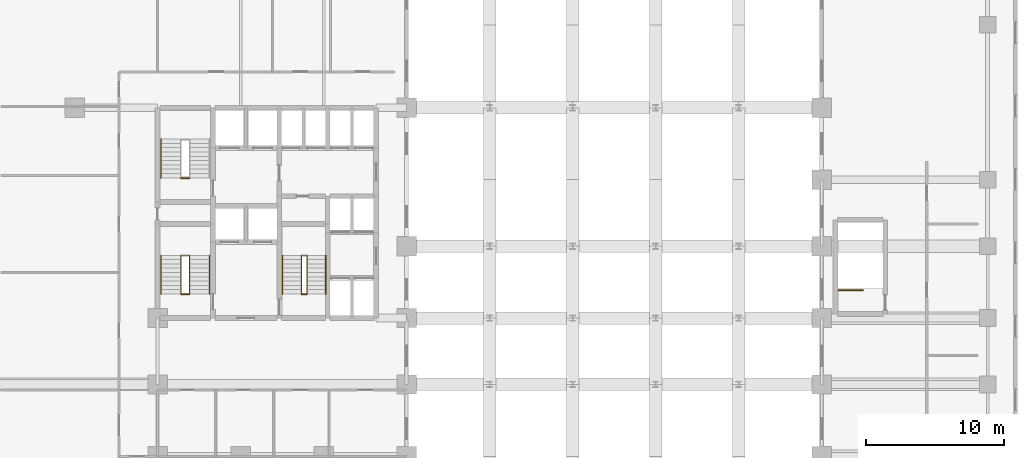
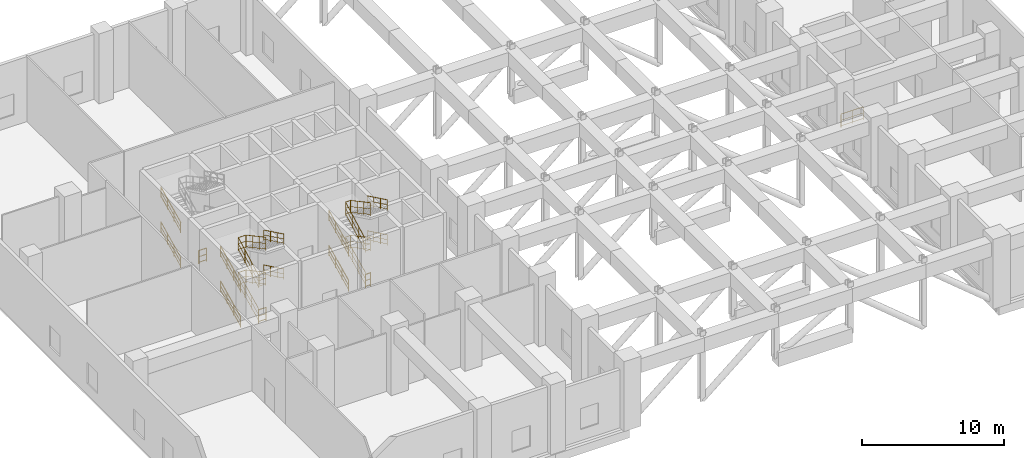
# One storey, part 10 of 11: 16 railings.
"""IFC4 building model written with IfcOpenShell, lengths in metres."""

from ifc_helpers import new_model, si_unit, direction, frame, origin, origin_2d, place, context, subcontext, project, spatial, circle, extrude, material, layer, layer_set, type_object, element, save


model = new_model("IFC4")

# Units and contexts
model_context = context("Model", 3, precision=1e-05, world=origin(), true_north=direction((0.0, 1.0)))
body_context = subcontext(model_context, "Body", "Model", "MODEL_VIEW")
ifc_project = project(units=[si_unit("LENGTHUNIT", "METRE"), si_unit("AREAUNIT", "SQUARE_METRE"), si_unit("VOLUMEUNIT", "CUBIC_METRE"), si_unit("PLANEANGLEUNIT", "RADIAN"), si_unit("MASSUNIT", "GRAM", prefix="KILO")], contexts=[model_context])

# Site, building, storey
site_placement = place(None, origin())
site = spatial("IfcSite", under=ifc_project, at=site_placement, CompositionType="ELEMENT")
building_placement = place(site_placement, origin())
building = spatial("IfcBuilding", under=site, at=building_placement, Name="Keshet Zoharim Tower", CompositionType="ELEMENT")
storey_placement = place(building_placement, frame((0.0, 0.0, 13.0)))
storey = spatial("IfcBuildingStorey", under=building, at=storey_placement, Name="L02", CompositionType="ELEMENT", Elevation=13.0)

# Railings
ifc_material = material(Name="Steel S355", Category="steel")
ifc_layer_1 = layer(ifc_material, 0.050048828125)
ifc_layer_set_1 = layer_set([ifc_layer_1], Name="Steel S355")
railing_type_1 = type_object("IfcRailingType", Name="RL-HND-092", PredefinedType="HANDRAIL", material=ifc_layer_set_1)
railing_1_placement = place(storey_placement, frame((15.239990234375, 24.43994140625, 0.14990234375)))
element("IfcRailing", 1, at=railing_1_placement, inside=storey, type_object=railing_type_1, Name="L02 ST-01 Flight 1 Wall Handrail", PredefinedType="HANDRAIL", context=body_context, shape_type="SweptSolid", body=[
    extrude(circle(Radius=0.02392578125, at=origin_2d()), frame((0.0, 0.0, 0.89599609375), z_axis=(0.0, 0.90014928908, 0.43558151633), x_axis=(-1.0, 0.0, 0.0)), (0.0, 0.0, 1.0), 3.099609375),
    extrude(circle(Radius=0.01611328125, at=origin_2d()), frame((0.0, 0.0, 0.478271484375), z_axis=(0.0, 0.90014928908, 0.43558151633), x_axis=(-1.0, 0.0, 0.0)), (0.0, 0.0, 1.0), 3.099609375),
    extrude(circle(Radius=0.01611328125, at=origin_2d()), frame((0.0, 0.0, 0.1201171875), z_axis=(0.0, 0.90014928908, 0.43558151633), x_axis=(-1.0, 0.0, 0.0)), (0.0, 0.0, 1.0), 3.099609375),
    extrude(circle(Radius=0.02099609375, at=origin_2d()), origin(), (0.0, 0.0, 1.0), 0.871826171875),
    extrude(circle(Radius=0.02099609375, at=origin_2d()), frame((0.0, 0.929931640625, 0.449951171875)), (0.0, 0.0, 1.0), 0.871826171875),
    extrude(circle(Radius=0.02099609375, at=origin_2d()), frame((0.0, 1.860107421875, 0.900146484375)), (0.0, 0.0, 1.0), 0.871826171875),
    extrude(circle(Radius=0.02099609375, at=origin_2d()), frame((0.0, 2.7900390625, 1.35009765625)), (0.0, 0.0, 1.0), 0.871826171875),
])
railing_2_placement = place(storey_placement, frame((18.760009765625, 27.22998046875, 1.64990234375)))
element("IfcRailing", 2, at=railing_2_placement, inside=storey, type_object=railing_type_1, Name="L02 ST-01 Flight 2 Wall Handrail", PredefinedType="HANDRAIL", context=body_context, shape_type="SweptSolid", body=[
    extrude(circle(Radius=0.02392578125, at=origin_2d()), frame((0.0, 0.0, 0.89599609375), z_axis=(0.0, -0.90014928908, 0.43558151633), x_axis=(1.0, 0.0, 0.0)), (0.0, 0.0, 1.0), 3.099609375),
    extrude(circle(Radius=0.01611328125, at=origin_2d()), frame((0.0, 0.0, 0.478271484375), z_axis=(0.0, -0.90014928908, 0.43558151633), x_axis=(1.0, 0.0, 0.0)), (0.0, 0.0, 1.0), 3.099609375),
    extrude(circle(Radius=0.01611328125, at=origin_2d()), frame((0.0, 0.0, 0.1201171875), z_axis=(0.0, -0.90014928908, 0.43558151633), x_axis=(1.0, 0.0, 0.0)), (0.0, 0.0, 1.0), 3.099609375),
    extrude(circle(Radius=0.02099609375, at=origin_2d()), origin(), (0.0, 0.0, 1.0), 0.871826171875),
    extrude(circle(Radius=0.02099609375, at=origin_2d()), frame((0.0, -0.929931640625, 0.449951171875)), (0.0, 0.0, 1.0), 0.871826171875),
    extrude(circle(Radius=0.02099609375, at=origin_2d()), frame((0.0, -1.860107421875, 0.900146484375)), (0.0, 0.0, 1.0), 0.871826171875),
    extrude(circle(Radius=0.02099609375, at=origin_2d()), frame((0.0, -2.7900390625, 1.35009765625)), (0.0, 0.0, 1.0), 0.871826171875),
])
railing_3_placement = place(storey_placement, frame((15.239990234375, 24.43994140625, 3.14990234375)))
element("IfcRailing", 3, at=railing_3_placement, inside=storey, type_object=railing_type_1, Name="L02 ST-01 Flight 3 Wall Handrail", PredefinedType="HANDRAIL", context=body_context, shape_type="SweptSolid", body=[
    extrude(circle(Radius=0.02392578125, at=origin_2d()), frame((0.0, 0.0, 0.89599609375), z_axis=(0.0, 0.90014928908, 0.43558151633), x_axis=(-1.0, 0.0, 0.0)), (0.0, 0.0, 1.0), 3.099609375),
    extrude(circle(Radius=0.01611328125, at=origin_2d()), frame((0.0, 0.0, 0.478271484375), z_axis=(0.0, 0.90014928908, 0.43558151633), x_axis=(-1.0, 0.0, 0.0)), (0.0, 0.0, 1.0), 3.099609375),
    extrude(circle(Radius=0.01611328125, at=origin_2d()), frame((0.0, 0.0, 0.1201171875), z_axis=(0.0, 0.90014928908, 0.43558151633), x_axis=(-1.0, 0.0, 0.0)), (0.0, 0.0, 1.0), 3.099609375),
    extrude(circle(Radius=0.02099609375, at=origin_2d()), origin(), (0.0, 0.0, 1.0), 0.871826171875),
    extrude(circle(Radius=0.02099609375, at=origin_2d()), frame((0.0, 0.929931640625, 0.449951171875)), (0.0, 0.0, 1.0), 0.871826171875),
    extrude(circle(Radius=0.02099609375, at=origin_2d()), frame((0.0, 1.860107421875, 0.900146484375)), (0.0, 0.0, 1.0), 0.871826171875),
    extrude(circle(Radius=0.02099609375, at=origin_2d()), frame((0.0, 2.7900390625, 1.35009765625)), (0.0, 0.0, 1.0), 0.871826171875),
])
railing_4_placement = place(storey_placement, frame((18.760009765625, 27.22998046875, 4.64990234375)))
element("IfcRailing", 4, at=railing_4_placement, inside=storey, type_object=railing_type_1, Name="L02 ST-01 Flight 4 Wall Handrail", PredefinedType="HANDRAIL", context=body_context, shape_type="SweptSolid", body=[
    extrude(circle(Radius=0.02392578125, at=origin_2d()), frame((0.0, 0.0, 0.89599609375), z_axis=(0.0, -0.90014928908, 0.43558151633), x_axis=(1.0, 0.0, 0.0)), (0.0, 0.0, 1.0), 3.099609375),
    extrude(circle(Radius=0.01611328125, at=origin_2d()), frame((0.0, 0.0, 0.478271484375), z_axis=(0.0, -0.90014928908, 0.43558151633), x_axis=(1.0, 0.0, 0.0)), (0.0, 0.0, 1.0), 3.099609375),
    extrude(circle(Radius=0.01611328125, at=origin_2d()), frame((0.0, 0.0, 0.1201171875), z_axis=(0.0, -0.90014928908, 0.43558151633), x_axis=(1.0, 0.0, 0.0)), (0.0, 0.0, 1.0), 3.099609375),
    extrude(circle(Radius=0.02099609375, at=origin_2d()), origin(), (0.0, 0.0, 1.0), 0.871826171875),
    extrude(circle(Radius=0.02099609375, at=origin_2d()), frame((0.0, -0.929931640625, 0.449951171875)), (0.0, 0.0, 1.0), 0.871826171875),
    extrude(circle(Radius=0.02099609375, at=origin_2d()), frame((0.0, -1.860107421875, 0.900146484375)), (0.0, 0.0, 1.0), 0.871826171875),
    extrude(circle(Radius=0.02099609375, at=origin_2d()), frame((0.0, -2.7900390625, 1.35009765625)), (0.0, 0.0, 1.0), 0.871826171875),
])
for number, where, name in (
    (5, (15.239990234375, 32.840087890625, 0.14990234375), "L02 ST-02 Flight 1 Wall Handrail"),
    (6, (15.239990234375, 32.840087890625, 3.14990234375), "L02 ST-02 Flight 3 Wall Handrail"),
):
    element("IfcRailing", number, at=place(storey_placement, frame(where)), inside=storey, type_object=railing_type_1, Name=name, PredefinedType="HANDRAIL", context=body_context, shape_type="SweptSolid", body=[
        extrude(circle(Radius=0.02392578125, at=origin_2d()), frame((0.0, 0.0, 0.89599609375), z_axis=(0.0, 0.900134342929, 0.43561240189), x_axis=(-1.0, 0.0, 0.0)), (0.0, 0.0, 1.0), 3.099365234375),
        extrude(circle(Radius=0.01611328125, at=origin_2d()), frame((0.0, 0.0, 0.478271484375), z_axis=(0.0, 0.900134342929, 0.43561240189), x_axis=(-1.0, 0.0, 0.0)), (0.0, 0.0, 1.0), 3.099365234375),
        extrude(circle(Radius=0.01611328125, at=origin_2d()), frame((0.0, 0.0, 0.1201171875), z_axis=(0.0, 0.900134342929, 0.43561240189), x_axis=(-1.0, 0.0, 0.0)), (0.0, 0.0, 1.0), 3.099365234375),
        extrude(circle(Radius=0.02099609375, at=origin_2d()), origin(), (0.0, 0.0, 1.0), 0.871826171875),
        extrude(circle(Radius=0.02099609375, at=origin_2d()), frame((0.0, 0.929931640625, 0.449951171875)), (0.0, 0.0, 1.0), 0.871826171875),
        extrude(circle(Radius=0.02099609375, at=origin_2d()), frame((0.0, 1.85986328125, 0.900146484375)), (0.0, 0.0, 1.0), 0.871826171875),
        extrude(circle(Radius=0.02099609375, at=origin_2d()), frame((0.0, 2.789794921875, 1.35009765625)), (0.0, 0.0, 1.0), 0.871826171875),
    ])
railing_5_placement = place(storey_placement, frame((24.0400390625, 24.43994140625, 0.14990234375)))
element("IfcRailing", 7, at=railing_5_placement, inside=storey, type_object=railing_type_1, Name="L02 ST-03 Flight 1 Wall Handrail", PredefinedType="HANDRAIL", context=body_context, shape_type="SweptSolid", body=[
    extrude(circle(Radius=0.02392578125, at=origin_2d()), frame((0.0, 0.0, 0.89599609375), z_axis=(0.0, 0.90014928908, 0.43558151633), x_axis=(-1.0, 0.0, 0.0)), (0.0, 0.0, 1.0), 3.099609375),
    extrude(circle(Radius=0.01611328125, at=origin_2d()), frame((0.0, 0.0, 0.478271484375), z_axis=(0.0, 0.90014928908, 0.43558151633), x_axis=(-1.0, 0.0, 0.0)), (0.0, 0.0, 1.0), 3.099609375),
    extrude(circle(Radius=0.01611328125, at=origin_2d()), frame((0.0, 0.0, 0.1201171875), z_axis=(0.0, 0.90014928908, 0.43558151633), x_axis=(-1.0, 0.0, 0.0)), (0.0, 0.0, 1.0), 3.099609375),
    extrude(circle(Radius=0.02099609375, at=origin_2d()), origin(), (0.0, 0.0, 1.0), 0.871826171875),
    extrude(circle(Radius=0.02099609375, at=origin_2d()), frame((0.0, 0.929931640625, 0.449951171875)), (0.0, 0.0, 1.0), 0.871826171875),
    extrude(circle(Radius=0.02099609375, at=origin_2d()), frame((0.0, 1.860107421875, 0.900146484375)), (0.0, 0.0, 1.0), 0.871826171875),
    extrude(circle(Radius=0.02099609375, at=origin_2d()), frame((0.0, 2.7900390625, 1.35009765625)), (0.0, 0.0, 1.0), 0.871826171875),
])
railing_6_placement = place(storey_placement, frame((27.159912109375, 27.22998046875, 1.64990234375)))
element("IfcRailing", 8, at=railing_6_placement, inside=storey, type_object=railing_type_1, Name="L02 ST-03 Flight 2 Wall Handrail", PredefinedType="HANDRAIL", context=body_context, shape_type="SweptSolid", body=[
    extrude(circle(Radius=0.02392578125, at=origin_2d()), frame((0.0, 0.0, 0.89599609375), z_axis=(0.0, -0.90014928908, 0.43558151633), x_axis=(1.0, 0.0, 0.0)), (0.0, 0.0, 1.0), 3.099609375),
    extrude(circle(Radius=0.01611328125, at=origin_2d()), frame((0.0, 0.0, 0.478271484375), z_axis=(0.0, -0.90014928908, 0.43558151633), x_axis=(1.0, 0.0, 0.0)), (0.0, 0.0, 1.0), 3.099609375),
    extrude(circle(Radius=0.01611328125, at=origin_2d()), frame((0.0, 0.0, 0.1201171875), z_axis=(0.0, -0.90014928908, 0.43558151633), x_axis=(1.0, 0.0, 0.0)), (0.0, 0.0, 1.0), 3.099609375),
    extrude(circle(Radius=0.02099609375, at=origin_2d()), origin(), (0.0, 0.0, 1.0), 0.871826171875),
    extrude(circle(Radius=0.02099609375, at=origin_2d()), frame((0.0, -0.929931640625, 0.449951171875)), (0.0, 0.0, 1.0), 0.871826171875),
    extrude(circle(Radius=0.02099609375, at=origin_2d()), frame((0.0, -1.860107421875, 0.900146484375)), (0.0, 0.0, 1.0), 0.871826171875),
    extrude(circle(Radius=0.02099609375, at=origin_2d()), frame((0.0, -2.7900390625, 1.35009765625)), (0.0, 0.0, 1.0), 0.871826171875),
])
railing_7_placement = place(storey_placement, frame((24.0400390625, 24.43994140625, 3.14990234375)))
element("IfcRailing", 9, at=railing_7_placement, inside=storey, type_object=railing_type_1, Name="L02 ST-03 Flight 3 Wall Handrail", PredefinedType="HANDRAIL", context=body_context, shape_type="SweptSolid", body=[
    extrude(circle(Radius=0.02392578125, at=origin_2d()), frame((0.0, 0.0, 0.89599609375), z_axis=(0.0, 0.90014928908, 0.43558151633), x_axis=(-1.0, 0.0, 0.0)), (0.0, 0.0, 1.0), 3.099609375),
    extrude(circle(Radius=0.01611328125, at=origin_2d()), frame((0.0, 0.0, 0.478271484375), z_axis=(0.0, 0.90014928908, 0.43558151633), x_axis=(-1.0, 0.0, 0.0)), (0.0, 0.0, 1.0), 3.099609375),
    extrude(circle(Radius=0.01611328125, at=origin_2d()), frame((0.0, 0.0, 0.1201171875), z_axis=(0.0, 0.90014928908, 0.43558151633), x_axis=(-1.0, 0.0, 0.0)), (0.0, 0.0, 1.0), 3.099609375),
    extrude(circle(Radius=0.02099609375, at=origin_2d()), origin(), (0.0, 0.0, 1.0), 0.871826171875),
    extrude(circle(Radius=0.02099609375, at=origin_2d()), frame((0.0, 0.929931640625, 0.449951171875)), (0.0, 0.0, 1.0), 0.871826171875),
    extrude(circle(Radius=0.02099609375, at=origin_2d()), frame((0.0, 1.860107421875, 0.900146484375)), (0.0, 0.0, 1.0), 0.871826171875),
    extrude(circle(Radius=0.02099609375, at=origin_2d()), frame((0.0, 2.7900390625, 1.35009765625)), (0.0, 0.0, 1.0), 0.871826171875),
])
railing_8_placement = place(storey_placement, frame((27.159912109375, 27.22998046875, 4.64990234375)))
element("IfcRailing", 10, at=railing_8_placement, inside=storey, type_object=railing_type_1, Name="L02 ST-03 Flight 4 Wall Handrail", PredefinedType="HANDRAIL", context=body_context, shape_type="SweptSolid", body=[
    extrude(circle(Radius=0.02392578125, at=origin_2d()), frame((0.0, 0.0, 0.89599609375), z_axis=(0.0, -0.90014928908, 0.43558151633), x_axis=(1.0, 0.0, 0.0)), (0.0, 0.0, 1.0), 3.099609375),
    extrude(circle(Radius=0.01611328125, at=origin_2d()), frame((0.0, 0.0, 0.478271484375), z_axis=(0.0, -0.90014928908, 0.43558151633), x_axis=(1.0, 0.0, 0.0)), (0.0, 0.0, 1.0), 3.099609375),
    extrude(circle(Radius=0.01611328125, at=origin_2d()), frame((0.0, 0.0, 0.1201171875), z_axis=(0.0, -0.90014928908, 0.43558151633), x_axis=(1.0, 0.0, 0.0)), (0.0, 0.0, 1.0), 3.099609375),
    extrude(circle(Radius=0.02099609375, at=origin_2d()), origin(), (0.0, 0.0, 1.0), 0.871826171875),
    extrude(circle(Radius=0.02099609375, at=origin_2d()), frame((0.0, -0.929931640625, 0.449951171875)), (0.0, 0.0, 1.0), 0.871826171875),
    extrude(circle(Radius=0.02099609375, at=origin_2d()), frame((0.0, -1.860107421875, 0.900146484375)), (0.0, 0.0, 1.0), 0.871826171875),
    extrude(circle(Radius=0.02099609375, at=origin_2d()), frame((0.0, -2.7900390625, 1.35009765625)), (0.0, 0.0, 1.0), 0.871826171875),
])
ifc_layer_2 = layer(ifc_material, 0.06005859375)
ifc_layer_set_2 = layer_set([ifc_layer_2], Name="Steel S355")
railing_type_2 = type_object("IfcRailingType", Name="RL-STG-115", PredefinedType="GUARDRAIL", material=ifc_layer_set_2)
railing_9_placement = place(storey_placement, frame((16.68994140625, 24.43994140625, 0.14990234375)))
element("IfcRailing", 11, at=railing_9_placement, inside=storey, type_object=railing_type_2, Name="L02 ST-01 Inner Well Guardrail", PredefinedType="GUARDRAIL", context=body_context, shape_type="SweptSolid", body=[
    extrude(circle(Radius=0.02392578125, at=origin_2d()), frame((0.0, 0.0, 1.1259765625), z_axis=(0.0, 0.90014928908, 0.43558151633), x_axis=(-1.0, 0.0, 0.0)), (0.0, 0.0, 1.0), 3.099609375),
    extrude(circle(Radius=0.01611328125, at=origin_2d()), frame((0.0, 0.0, 0.597900390625), z_axis=(0.0, 0.90014928908, 0.43558151633), x_axis=(-1.0, 0.0, 0.0)), (0.0, 0.0, 1.0), 3.099609375),
    extrude(circle(Radius=0.01611328125, at=origin_2d()), frame((0.0, 0.0, 0.1201171875), z_axis=(0.0, 0.90014928908, 0.43558151633), x_axis=(-1.0, 0.0, 0.0)), (0.0, 0.0, 1.0), 3.099609375),
    extrude(circle(Radius=0.02392578125, at=origin_2d()), frame((0.0, 2.7900390625, 2.47607421875), z_axis=(1.0, 0.0, 0.0), x_axis=(0.0, 1.0, 0.0)), (0.0, 0.0, 1.0), 0.6201171875),
    extrude(circle(Radius=0.01611328125, at=origin_2d()), frame((0.0, 2.7900390625, 1.947998046875), z_axis=(1.0, 0.0, 0.0), x_axis=(0.0, 1.0, 0.0)), (0.0, 0.0, 1.0), 0.6201171875),
    extrude(circle(Radius=0.01611328125, at=origin_2d()), frame((0.0, 2.7900390625, 1.47021484375), z_axis=(1.0, 0.0, 0.0), x_axis=(0.0, 1.0, 0.0)), (0.0, 0.0, 1.0), 0.6201171875),
    extrude(circle(Radius=0.02392578125, at=origin_2d()), frame((0.6201171875, 2.7900390625, 2.47607421875), z_axis=(0.0, -0.880777788955, 0.473529815833), x_axis=(1.0, 0.0, 0.0)), (0.0, 0.0, 1.0), 3.167724609375),
    extrude(circle(Radius=0.01611328125, at=origin_2d()), frame((0.6201171875, 2.7900390625, 1.947998046875), z_axis=(0.0, -0.880777788955, 0.473529815833), x_axis=(1.0, 0.0, 0.0)), (0.0, 0.0, 1.0), 3.167724609375),
    extrude(circle(Radius=0.01611328125, at=origin_2d()), frame((0.6201171875, 2.7900390625, 1.47021484375), z_axis=(0.0, -0.880777788955, 0.473529815833), x_axis=(1.0, 0.0, 0.0)), (0.0, 0.0, 1.0), 3.167724609375),
    extrude(circle(Radius=0.02392578125, at=origin_2d()), frame((0.6201171875, 0.0, 3.97607421875), z_axis=(-1.0, 0.0, 0.0), x_axis=(0.0, -1.0, 0.0)), (0.0, 0.0, 1.0), 0.6201171875),
    extrude(circle(Radius=0.01611328125, at=origin_2d()), frame((0.6201171875, 0.0, 3.447998046875), z_axis=(-1.0, 0.0, 0.0), x_axis=(0.0, -1.0, 0.0)), (0.0, 0.0, 1.0), 0.6201171875),
    extrude(circle(Radius=0.01611328125, at=origin_2d()), frame((0.6201171875, 0.0, 2.97021484375), z_axis=(-1.0, 0.0, 0.0), x_axis=(0.0, -1.0, 0.0)), (0.0, 0.0, 1.0), 0.6201171875),
    extrude(circle(Radius=0.02392578125, at=origin_2d()), frame((0.0, 0.0, 3.97607421875), z_axis=(0.0, 0.880777788955, 0.473529815833), x_axis=(-1.0, 0.0, 0.0)), (0.0, 0.0, 1.0), 3.167724609375),
    extrude(circle(Radius=0.01611328125, at=origin_2d()), frame((0.0, 0.0, 3.447998046875), z_axis=(0.0, 0.880777788955, 0.473529815833), x_axis=(-1.0, 0.0, 0.0)), (0.0, 0.0, 1.0), 3.167724609375),
    extrude(circle(Radius=0.01611328125, at=origin_2d()), frame((0.0, 0.0, 2.97021484375), z_axis=(0.0, 0.880777788955, 0.473529815833), x_axis=(-1.0, 0.0, 0.0)), (0.0, 0.0, 1.0), 3.167724609375),
    extrude(circle(Radius=0.02392578125, at=origin_2d()), frame((0.0, 2.7900390625, 5.47607421875), z_axis=(1.0, 0.0, 0.0), x_axis=(0.0, 1.0, 0.0)), (0.0, 0.0, 1.0), 0.6201171875),
    extrude(circle(Radius=0.01611328125, at=origin_2d()), frame((0.0, 2.7900390625, 4.947998046875), z_axis=(1.0, 0.0, 0.0), x_axis=(0.0, 1.0, 0.0)), (0.0, 0.0, 1.0), 0.6201171875),
    extrude(circle(Radius=0.01611328125, at=origin_2d()), frame((0.0, 2.7900390625, 4.47021484375), z_axis=(1.0, 0.0, 0.0), x_axis=(0.0, 1.0, 0.0)), (0.0, 0.0, 1.0), 0.6201171875),
    extrude(circle(Radius=0.02392578125, at=origin_2d()), frame((0.6201171875, 2.7900390625, 5.47607421875), z_axis=(0.0, -0.880777788955, 0.473529815833), x_axis=(1.0, 0.0, 0.0)), (0.0, 0.0, 1.0), 3.167724609375),
    extrude(circle(Radius=0.01611328125, at=origin_2d()), frame((0.6201171875, 2.7900390625, 4.947998046875), z_axis=(0.0, -0.880777788955, 0.473529815833), x_axis=(1.0, 0.0, 0.0)), (0.0, 0.0, 1.0), 3.167724609375),
    extrude(circle(Radius=0.01611328125, at=origin_2d()), frame((0.6201171875, 2.7900390625, 4.47021484375), z_axis=(0.0, -0.880777788955, 0.473529815833), x_axis=(1.0, 0.0, 0.0)), (0.0, 0.0, 1.0), 3.167724609375),
    extrude(circle(Radius=0.02099609375, at=origin_2d()), origin(), (0.0, 0.0, 1.0), 1.101806640625),
    extrude(circle(Radius=0.02099609375, at=origin_2d()), frame((0.0, 0.929931640625, 0.449951171875)), (0.0, 0.0, 1.0), 1.101806640625),
    extrude(circle(Radius=0.02099609375, at=origin_2d()), frame((0.0, 1.860107421875, 0.900146484375)), (0.0, 0.0, 1.0), 1.101806640625),
    extrude(circle(Radius=0.02099609375, at=origin_2d()), frame((0.0, 2.7900390625, 1.35009765625)), (0.0, 0.0, 1.0), 1.101806640625),
    extrude(circle(Radius=0.02099609375, at=origin_2d()), frame((0.6201171875, 2.7900390625, 1.35009765625)), (0.0, 0.0, 1.0), 1.101806640625),
    extrude(circle(Radius=0.02099609375, at=origin_2d()), frame((0.6201171875, 1.860107421875, 1.85009765625)), (0.0, 0.0, 1.0), 1.101806640625),
    extrude(circle(Radius=0.02099609375, at=origin_2d()), frame((0.6201171875, 0.929931640625, 2.35009765625)), (0.0, 0.0, 1.0), 1.101806640625),
    extrude(circle(Radius=0.02099609375, at=origin_2d()), frame((0.6201171875, 0.0, 2.85009765625)), (0.0, 0.0, 1.0), 1.101806640625),
    extrude(circle(Radius=0.02099609375, at=origin_2d()), frame((0.0, 0.0, 2.85009765625)), (0.0, 0.0, 1.0), 1.101806640625),
    extrude(circle(Radius=0.02099609375, at=origin_2d()), frame((0.0, 0.929931640625, 3.35009765625)), (0.0, 0.0, 1.0), 1.101806640625),
    extrude(circle(Radius=0.02099609375, at=origin_2d()), frame((0.0, 1.860107421875, 3.85009765625)), (0.0, 0.0, 1.0), 1.101806640625),
    extrude(circle(Radius=0.02099609375, at=origin_2d()), frame((0.0, 2.7900390625, 4.35009765625)), (0.0, 0.0, 1.0), 1.101806640625),
    extrude(circle(Radius=0.02099609375, at=origin_2d()), frame((0.6201171875, 2.7900390625, 4.35009765625)), (0.0, 0.0, 1.0), 1.101806640625),
    extrude(circle(Radius=0.02099609375, at=origin_2d()), frame((0.6201171875, 1.860107421875, 4.85009765625)), (0.0, 0.0, 1.0), 1.101806640625),
    extrude(circle(Radius=0.02099609375, at=origin_2d()), frame((0.6201171875, 0.929931640625, 5.35009765625)), (0.0, 0.0, 1.0), 1.101806640625),
    extrude(circle(Radius=0.02099609375, at=origin_2d()), frame((0.6201171875, 0.0, 5.85009765625)), (0.0, 0.0, 1.0), 1.101806640625),
])
for number, where, name in (
    (12, (16.68994140625, 24.409912109375, 0.0), "L02 ST-01 Stairwell Floor Guardrail"),
    (13, (16.68994140625, 32.81005859375, 0.0), "L02 ST-02 Stairwell Floor Guardrail"),
):
    element("IfcRailing", number, at=place(storey_placement, frame(where)), inside=storey, type_object=railing_type_2, Name=name, PredefinedType="GUARDRAIL", context=body_context, shape_type="SweptSolid", body=[
        extrude(circle(Radius=0.02392578125, at=origin_2d()), frame((0.0, 0.0, 1.1259765625), z_axis=(1.0, 0.0, 0.0), x_axis=(0.0, 1.0, 0.0)), (0.0, 0.0, 1.0), 0.6201171875),
        extrude(circle(Radius=0.01611328125, at=origin_2d()), frame((0.0, 0.0, 0.597900390625), z_axis=(1.0, 0.0, 0.0), x_axis=(0.0, 1.0, 0.0)), (0.0, 0.0, 1.0), 0.6201171875),
        extrude(circle(Radius=0.01611328125, at=origin_2d()), frame((0.0, 0.0, 0.1201171875), z_axis=(1.0, 0.0, 0.0), x_axis=(0.0, 1.0, 0.0)), (0.0, 0.0, 1.0), 0.6201171875),
        extrude(circle(Radius=0.02099609375, at=origin_2d()), origin(), (0.0, 0.0, 1.0), 1.101806640625),
        extrude(circle(Radius=0.02099609375, at=origin_2d()), frame((0.6201171875, 0.0, 0.0)), (0.0, 0.0, 1.0), 1.101806640625),
    ])
railing_10_placement = place(storey_placement, frame((25.39990234375, 24.43994140625, 0.14990234375)))
element("IfcRailing", 14, at=railing_10_placement, inside=storey, type_object=railing_type_2, Name="L02 ST-03 Inner Well Guardrail", PredefinedType="GUARDRAIL", context=body_context, shape_type="SweptSolid", body=[
    extrude(circle(Radius=0.02392578125, at=origin_2d()), frame((0.0, 0.0, 1.1259765625), z_axis=(0.0, 0.90014928908, 0.43558151633), x_axis=(-1.0, 0.0, 0.0)), (0.0, 0.0, 1.0), 3.099609375),
    extrude(circle(Radius=0.01611328125, at=origin_2d()), frame((0.0, 0.0, 0.597900390625), z_axis=(0.0, 0.90014928908, 0.43558151633), x_axis=(-1.0, 0.0, 0.0)), (0.0, 0.0, 1.0), 3.099609375),
    extrude(circle(Radius=0.01611328125, at=origin_2d()), frame((0.0, 0.0, 0.1201171875), z_axis=(0.0, 0.90014928908, 0.43558151633), x_axis=(-1.0, 0.0, 0.0)), (0.0, 0.0, 1.0), 3.099609375),
    extrude(circle(Radius=0.02392578125, at=origin_2d()), frame((0.0, 2.7900390625, 2.47607421875), z_axis=(1.0, 0.0, 0.0), x_axis=(0.0, 1.0, 0.0)), (0.0, 0.0, 1.0), 0.400146484375),
    extrude(circle(Radius=0.01611328125, at=origin_2d()), frame((0.0, 2.7900390625, 1.947998046875), z_axis=(1.0, 0.0, 0.0), x_axis=(0.0, 1.0, 0.0)), (0.0, 0.0, 1.0), 0.400146484375),
    extrude(circle(Radius=0.01611328125, at=origin_2d()), frame((0.0, 2.7900390625, 1.47021484375), z_axis=(1.0, 0.0, 0.0), x_axis=(0.0, 1.0, 0.0)), (0.0, 0.0, 1.0), 0.400146484375),
    extrude(circle(Radius=0.02392578125, at=origin_2d()), frame((0.400146484375, 2.7900390625, 2.47607421875), z_axis=(0.0, -0.880777788955, 0.473529815833), x_axis=(1.0, 0.0, 0.0)), (0.0, 0.0, 1.0), 3.167724609375),
    extrude(circle(Radius=0.01611328125, at=origin_2d()), frame((0.400146484375, 2.7900390625, 1.947998046875), z_axis=(0.0, -0.880777788955, 0.473529815833), x_axis=(1.0, 0.0, 0.0)), (0.0, 0.0, 1.0), 3.167724609375),
    extrude(circle(Radius=0.01611328125, at=origin_2d()), frame((0.400146484375, 2.7900390625, 1.47021484375), z_axis=(0.0, -0.880777788955, 0.473529815833), x_axis=(1.0, 0.0, 0.0)), (0.0, 0.0, 1.0), 3.167724609375),
    extrude(circle(Radius=0.02392578125, at=origin_2d()), frame((0.400146484375, 0.0, 3.97607421875), z_axis=(-1.0, 0.0, 0.0), x_axis=(0.0, -1.0, 0.0)), (0.0, 0.0, 1.0), 0.400146484375),
    extrude(circle(Radius=0.01611328125, at=origin_2d()), frame((0.400146484375, 0.0, 3.447998046875), z_axis=(-1.0, 0.0, 0.0), x_axis=(0.0, -1.0, 0.0)), (0.0, 0.0, 1.0), 0.400146484375),
    extrude(circle(Radius=0.01611328125, at=origin_2d()), frame((0.400146484375, 0.0, 2.97021484375), z_axis=(-1.0, 0.0, 0.0), x_axis=(0.0, -1.0, 0.0)), (0.0, 0.0, 1.0), 0.400146484375),
    extrude(circle(Radius=0.02392578125, at=origin_2d()), frame((0.0, 0.0, 3.97607421875), z_axis=(0.0, 0.880777788955, 0.473529815833), x_axis=(-1.0, 0.0, 0.0)), (0.0, 0.0, 1.0), 3.167724609375),
    extrude(circle(Radius=0.01611328125, at=origin_2d()), frame((0.0, 0.0, 3.447998046875), z_axis=(0.0, 0.880777788955, 0.473529815833), x_axis=(-1.0, 0.0, 0.0)), (0.0, 0.0, 1.0), 3.167724609375),
    extrude(circle(Radius=0.01611328125, at=origin_2d()), frame((0.0, 0.0, 2.97021484375), z_axis=(0.0, 0.880777788955, 0.473529815833), x_axis=(-1.0, 0.0, 0.0)), (0.0, 0.0, 1.0), 3.167724609375),
    extrude(circle(Radius=0.02392578125, at=origin_2d()), frame((0.0, 2.7900390625, 5.47607421875), z_axis=(1.0, 0.0, 0.0), x_axis=(0.0, 1.0, 0.0)), (0.0, 0.0, 1.0), 0.400146484375),
    extrude(circle(Radius=0.01611328125, at=origin_2d()), frame((0.0, 2.7900390625, 4.947998046875), z_axis=(1.0, 0.0, 0.0), x_axis=(0.0, 1.0, 0.0)), (0.0, 0.0, 1.0), 0.400146484375),
    extrude(circle(Radius=0.01611328125, at=origin_2d()), frame((0.0, 2.7900390625, 4.47021484375), z_axis=(1.0, 0.0, 0.0), x_axis=(0.0, 1.0, 0.0)), (0.0, 0.0, 1.0), 0.400146484375),
    extrude(circle(Radius=0.02392578125, at=origin_2d()), frame((0.400146484375, 2.7900390625, 5.47607421875), z_axis=(0.0, -0.880777788955, 0.473529815833), x_axis=(1.0, 0.0, 0.0)), (0.0, 0.0, 1.0), 3.167724609375),
    extrude(circle(Radius=0.01611328125, at=origin_2d()), frame((0.400146484375, 2.7900390625, 4.947998046875), z_axis=(0.0, -0.880777788955, 0.473529815833), x_axis=(1.0, 0.0, 0.0)), (0.0, 0.0, 1.0), 3.167724609375),
    extrude(circle(Radius=0.01611328125, at=origin_2d()), frame((0.400146484375, 2.7900390625, 4.47021484375), z_axis=(0.0, -0.880777788955, 0.473529815833), x_axis=(1.0, 0.0, 0.0)), (0.0, 0.0, 1.0), 3.167724609375),
    extrude(circle(Radius=0.02099609375, at=origin_2d()), origin(), (0.0, 0.0, 1.0), 1.101806640625),
    extrude(circle(Radius=0.02099609375, at=origin_2d()), frame((0.0, 0.929931640625, 0.449951171875)), (0.0, 0.0, 1.0), 1.101806640625),
    extrude(circle(Radius=0.02099609375, at=origin_2d()), frame((0.0, 1.860107421875, 0.900146484375)), (0.0, 0.0, 1.0), 1.101806640625),
    extrude(circle(Radius=0.02099609375, at=origin_2d()), frame((0.0, 2.7900390625, 1.35009765625)), (0.0, 0.0, 1.0), 1.101806640625),
    extrude(circle(Radius=0.02099609375, at=origin_2d()), frame((0.400146484375, 2.7900390625, 1.35009765625)), (0.0, 0.0, 1.0), 1.101806640625),
    extrude(circle(Radius=0.02099609375, at=origin_2d()), frame((0.400146484375, 1.860107421875, 1.85009765625)), (0.0, 0.0, 1.0), 1.101806640625),
    extrude(circle(Radius=0.02099609375, at=origin_2d()), frame((0.400146484375, 0.929931640625, 2.35009765625)), (0.0, 0.0, 1.0), 1.101806640625),
    extrude(circle(Radius=0.02099609375, at=origin_2d()), frame((0.400146484375, 0.0, 2.85009765625)), (0.0, 0.0, 1.0), 1.101806640625),
    extrude(circle(Radius=0.02099609375, at=origin_2d()), frame((0.0, 0.0, 2.85009765625)), (0.0, 0.0, 1.0), 1.101806640625),
    extrude(circle(Radius=0.02099609375, at=origin_2d()), frame((0.0, 0.929931640625, 3.35009765625)), (0.0, 0.0, 1.0), 1.101806640625),
    extrude(circle(Radius=0.02099609375, at=origin_2d()), frame((0.0, 1.860107421875, 3.85009765625)), (0.0, 0.0, 1.0), 1.101806640625),
    extrude(circle(Radius=0.02099609375, at=origin_2d()), frame((0.0, 2.7900390625, 4.35009765625)), (0.0, 0.0, 1.0), 1.101806640625),
    extrude(circle(Radius=0.02099609375, at=origin_2d()), frame((0.400146484375, 2.7900390625, 4.35009765625)), (0.0, 0.0, 1.0), 1.101806640625),
    extrude(circle(Radius=0.02099609375, at=origin_2d()), frame((0.400146484375, 1.860107421875, 4.85009765625)), (0.0, 0.0, 1.0), 1.101806640625),
    extrude(circle(Radius=0.02099609375, at=origin_2d()), frame((0.400146484375, 0.929931640625, 5.35009765625)), (0.0, 0.0, 1.0), 1.101806640625),
    extrude(circle(Radius=0.02099609375, at=origin_2d()), frame((0.400146484375, 0.0, 5.85009765625)), (0.0, 0.0, 1.0), 1.101806640625),
])
railing_11_placement = place(storey_placement, frame((25.39990234375, 24.409912109375, 0.0)))
element("IfcRailing", 15, at=railing_11_placement, inside=storey, type_object=railing_type_2, Name="L02 ST-03 Stairwell Floor Guardrail", PredefinedType="GUARDRAIL", context=body_context, shape_type="SweptSolid", body=[
    extrude(circle(Radius=0.02392578125, at=origin_2d()), frame((0.0, 0.0, 1.1259765625), z_axis=(1.0, 0.0, 0.0), x_axis=(0.0, 1.0, 0.0)), (0.0, 0.0, 1.0), 0.400146484375),
    extrude(circle(Radius=0.01611328125, at=origin_2d()), frame((0.0, 0.0, 0.597900390625), z_axis=(1.0, 0.0, 0.0), x_axis=(0.0, 1.0, 0.0)), (0.0, 0.0, 1.0), 0.400146484375),
    extrude(circle(Radius=0.01611328125, at=origin_2d()), frame((0.0, 0.0, 0.1201171875), z_axis=(1.0, 0.0, 0.0), x_axis=(0.0, 1.0, 0.0)), (0.0, 0.0, 1.0), 0.400146484375),
    extrude(circle(Radius=0.02099609375, at=origin_2d()), origin(), (0.0, 0.0, 1.0), 1.101806640625),
    extrude(circle(Radius=0.02099609375, at=origin_2d()), frame((0.400146484375, 0.0, 0.0)), (0.0, 0.0, 1.0), 1.101806640625),
])
railing_12_placement = place(storey_placement, frame((64.199951171875, 24.7099609375, 0.0)))
element("IfcRailing", 16, at=railing_12_placement, inside=storey, type_object=railing_type_2, Name="L02 ST-04 Stairwell Floor Guardrail", PredefinedType="GUARDRAIL", context=body_context, shape_type="SweptSolid", body=[
    extrude(circle(Radius=0.02392578125, at=origin_2d()), frame((0.0, 0.0, 1.1259765625), z_axis=(1.0, 0.0, 0.0), x_axis=(0.0, 1.0, 0.0)), (0.0, 0.0, 1.0), 1.800048828125),
    extrude(circle(Radius=0.01611328125, at=origin_2d()), frame((0.0, 0.0, 0.597900390625), z_axis=(1.0, 0.0, 0.0), x_axis=(0.0, 1.0, 0.0)), (0.0, 0.0, 1.0), 1.800048828125),
    extrude(circle(Radius=0.01611328125, at=origin_2d()), frame((0.0, 0.0, 0.1201171875), z_axis=(1.0, 0.0, 0.0), x_axis=(0.0, 1.0, 0.0)), (0.0, 0.0, 1.0), 1.800048828125),
    extrude(circle(Radius=0.02099609375, at=origin_2d()), origin(), (0.0, 0.0, 1.0), 1.101806640625),
    extrude(circle(Radius=0.02099609375, at=origin_2d()), frame((0.89990234375, 0.0, 0.0)), (0.0, 0.0, 1.0), 1.101806640625),
    extrude(circle(Radius=0.02099609375, at=origin_2d()), frame((1.800048828125, 0.0, 0.0)), (0.0, 0.0, 1.0), 1.101806640625),
])

save(model, "model.ifc")
